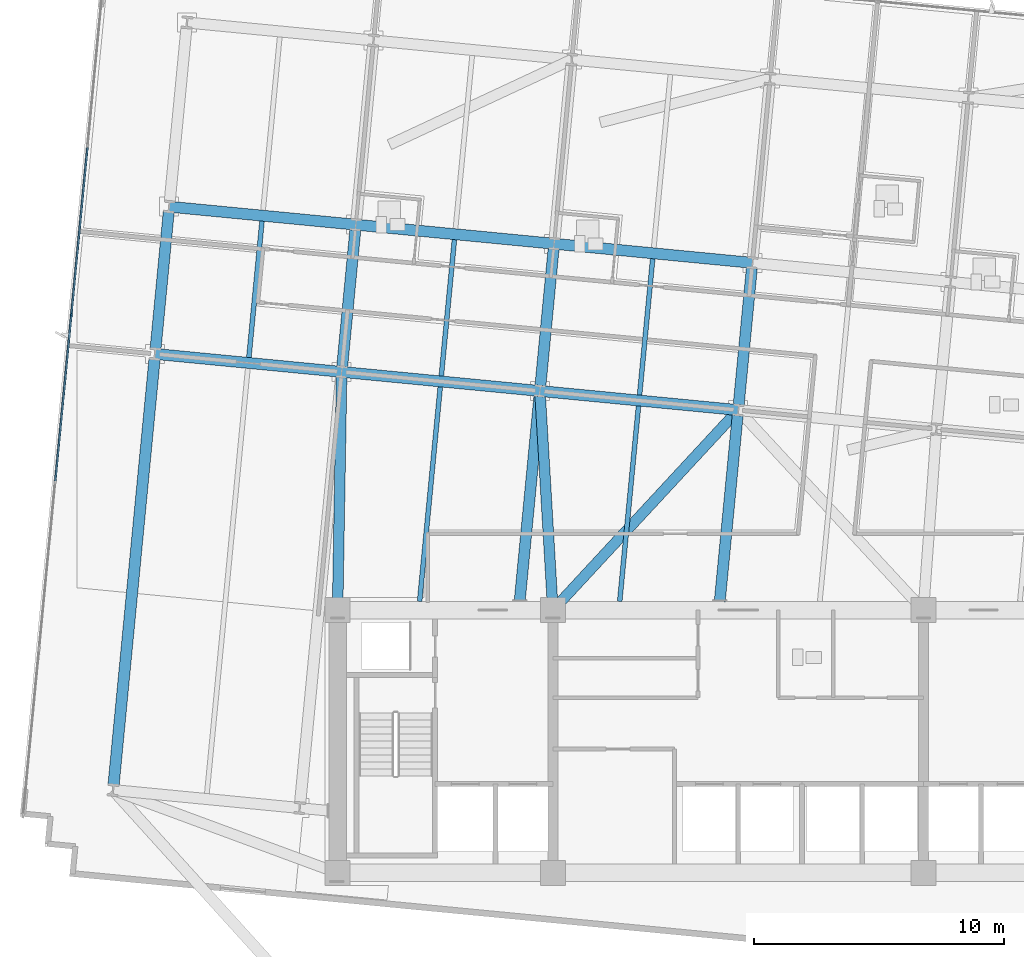
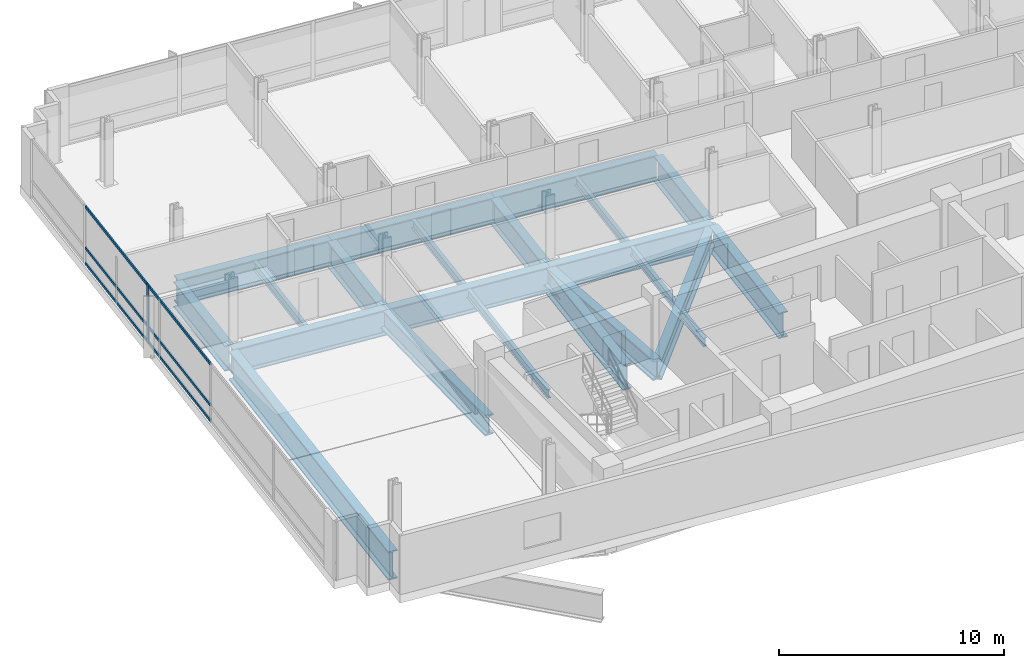
# One storey, part 4 of 18: 21 beams, 7 members, 1 element without a shape of its own.
"""IFC4 building model written with IfcOpenShell, lengths in metres."""

from ifc_helpers import new_model, si_unit, direction, frame, origin, origin_2d, place, context, subcontext, project, spatial, rectangle, i_section, extrude, material, material_profile, profile_set, type_object, element, aggregate, save


model = new_model("IFC4")

# Units and contexts
model_context = context("Model", 3, precision=1e-05, world=origin(), true_north=direction((0.0, 1.0)))
body_context = subcontext(model_context, "Body", "Model", "MODEL_VIEW")
ifc_project = project(units=[si_unit("LENGTHUNIT", "METRE"), si_unit("AREAUNIT", "SQUARE_METRE"), si_unit("VOLUMEUNIT", "CUBIC_METRE"), si_unit("PLANEANGLEUNIT", "RADIAN"), si_unit("MASSUNIT", "GRAM", prefix="KILO")], contexts=[model_context])

# Site, building, storey
site_placement = place(None, origin())
site = spatial("IfcSite", under=ifc_project, at=site_placement, CompositionType="ELEMENT")
building_placement = place(site_placement, origin())
building = spatial("IfcBuilding", under=site, at=building_placement, Name="Solmavex Isthmus Hotel", CompositionType="ELEMENT")
storey_placement = place(building_placement, frame((0.0, 0.0, 135.89990234375)))
storey = spatial("IfcBuildingStorey", under=building, at=storey_placement, Name="L36", CompositionType="ELEMENT", Elevation=135.89990234375)

# Beams
ifc_material_1 = material(Name="Steel ASTM A992 Grade 50", Category="steel")
ifc_material_profile_1 = material_profile(ifc_material_1, i_section(OverallWidth=0.1904296875, OverallDepth=0.456787109375, WebThickness=0.009033203125, FlangeThickness=0.014404296875, FilletRadius=0.0126953125, at=origin_2d()), Name="W18X50")
ifc_profile_set_1 = profile_set([ifc_material_profile_1], Name="Steel ASTM A992 Grade 50")
beam_type_1 = type_object("IfcBeamType", Name="BM-BJ-W18X50", PredefinedType="JOIST", material=ifc_profile_set_1)
beam_1_placement = place(storey_placement, frame((-19.543212890625, 7.59326171875, -0.678466796875), z_axis=(0.095860437863, 0.99539478422, 0.0), x_axis=(-0.99539478422, 0.095860437863, 0.0)))
element("IfcBeam", 1, at=beam_1_placement, inside=storey, type_object=beam_type_1, Name="Secondary Floor Joist L36-J02", PredefinedType="JOIST", context=body_context, shape_type="SweptSolid", body=[
    extrude(i_section(OverallWidth=0.1904296875, OverallDepth=0.456787109375, WebThickness=0.009033203125, FlangeThickness=0.014404296875, FilletRadius=0.0126953125, at=origin_2d()), origin(), (0.0, 0.0, 1.0), 5.468017578125),
])
beam_2_placement = place(storey_placement, frame((-12.7236328125, -2.14990234375, -0.678466796875), z_axis=(0.095842697369, 0.99539649254, 0.0), x_axis=(-0.99539649254, 0.095842697369, 0.0)))
element("IfcBeam", 2, at=beam_2_placement, inside=storey, type_object=beam_type_1, Name="Secondary Floor Joist L36-J04", PredefinedType="JOIST", context=body_context, shape_type="SweptSolid", body=[
    extrude(i_section(OverallWidth=0.1904296875, OverallDepth=0.456787109375, WebThickness=0.009033203125, FlangeThickness=0.014404296875, FilletRadius=0.0126953125, at=origin_2d()), origin(), (0.0, 0.0, 1.0), 8.604736328125),
])
beam_3_placement = place(storey_placement, frame((-11.856689453125, 6.85302734375, -0.678466796875), z_axis=(0.095860437863, 0.99539478422, 0.0), x_axis=(-0.99539478422, 0.095860437863, 0.0)))
element("IfcBeam", 3, at=beam_3_placement, inside=storey, type_object=beam_type_1, Name="Secondary Floor Joist L36-J05", PredefinedType="JOIST", context=body_context, shape_type="SweptSolid", body=[
    extrude(i_section(OverallWidth=0.1904296875, OverallDepth=0.456787109375, WebThickness=0.009033203125, FlangeThickness=0.014404296875, FilletRadius=0.0126953125, at=origin_2d()), origin(), (0.0, 0.0, 1.0), 5.468017578125),
])
beam_4_placement = place(storey_placement, frame((-4.730712890625, -2.14990234375, -0.678466796875), z_axis=(0.095836442338, 0.995397094792, 0.0), x_axis=(-0.995397094792, 0.095836442338, 0.0)))
element("IfcBeam", 4, at=beam_4_placement, inside=storey, type_object=beam_type_1, Name="Secondary Floor Joist L36-J07", PredefinedType="JOIST", context=body_context, shape_type="SweptSolid", body=[
    extrude(i_section(OverallWidth=0.1904296875, OverallDepth=0.456787109375, WebThickness=0.009033203125, FlangeThickness=0.014404296875, FilletRadius=0.0126953125, at=origin_2d()), origin(), (0.0, 0.0, 1.0), 7.838623046875),
])
beam_5_placement = place(storey_placement, frame((-3.937255859375, 6.090576171875, -0.678466796875), z_axis=(0.095816199314, 0.995399043574, 0.0), x_axis=(-0.995399043574, 0.095816199314, 0.0)))
element("IfcBeam", 5, at=beam_5_placement, inside=storey, type_object=beam_type_1, Name="Secondary Floor Joist L36-J08", PredefinedType="JOIST", context=body_context, shape_type="SweptSolid", body=[
    extrude(i_section(OverallWidth=0.1904296875, OverallDepth=0.456787109375, WebThickness=0.009033203125, FlangeThickness=0.014404296875, FilletRadius=0.0126953125, at=origin_2d()), origin(), (0.0, 0.0, 1.0), 5.468017578125),
])
ifc_material_2 = material(Name="Steel ASTM A572 Grade 50", Category="steel")
ifc_material_profile_2 = material_profile(ifc_material_2, i_section(OverallWidth=0.449951171875, OverallDepth=1.550048828125, WebThickness=0.031982421875, FlangeThickness=0.06494140625, FilletRadius=0.030517578125, at=origin_2d()), Name="I1550X450")
ifc_profile_set_2 = profile_set([ifc_material_profile_2], Name="Steel ASTM A572 Grade 50")
beam_type_2 = type_object("IfcBeamType", Name="BM-TB-G1550", PredefinedType="BEAM", material=ifc_profile_set_2)
beam_6_placement = place(storey_placement, frame((-24.947265625, -9.46728515625, -1.224853515625), z_axis=(0.095853111028, 0.995395489796, 0.0), x_axis=(-0.995395489796, 0.095853111028, 0.0)))
element("IfcBeam", 6, at=beam_6_placement, inside=storey, type_object=beam_type_2, Name="Outrigger Collector Beam L36-VG21", PredefinedType="BEAM", context=body_context, shape_type="SweptSolid", body=[
    extrude(i_section(OverallWidth=0.449951171875, OverallDepth=1.550048828125, WebThickness=0.031982421875, FlangeThickness=0.06494140625, FilletRadius=0.030517578125, at=origin_2d()), origin(), (0.0, 0.0, 1.0), 17.06005859375),
])
ifc_material_3 = material(Name="Steel ASTM A913 Grade 65", Category="steel")
ifc_material_profile_3 = material_profile(ifc_material_3, i_section(OverallWidth=0.42431640625, OverallDepth=1.09228515625, WebThickness=0.04541015625, FlangeThickness=0.08203125, FilletRadius=0.030517578125, at=origin_2d()), Name="W40X593")
ifc_profile_set_3 = profile_set([ifc_material_profile_3], Name="Steel ASTM A913 Grade 65")
beam_type_3 = type_object("IfcBeamType", Name="BM-TB-W40X397", PredefinedType="BEAM", material=ifc_profile_set_3)
beam_7_placement = place(storey_placement, frame((-7.39990234375, -2.5, -0.99609375), z_axis=(0.679544354084, 0.733634425877, 0.0), x_axis=(-0.733634425877, 0.679544354084, 0.0)))
element("IfcBeam", 7, at=beam_7_placement, inside=storey, type_object=beam_type_3, Name="Core Outrigger Strut L35-OTCW", PredefinedType="BEAM", context=body_context, shape_type="SweptSolid", body=[
    extrude(i_section(OverallWidth=0.42431640625, OverallDepth=1.09228515625, WebThickness=0.04541015625, FlangeThickness=0.08203125, FilletRadius=0.030517578125, at=origin_2d()), origin(), (0.0, 0.0, 1.0), 10.891357421875),
])
beam_8_placement = place(storey_placement, frame((-16.0, -2.5, -0.99609375), z_axis=(0.017085382598, 0.999854034198, 0.0), x_axis=(-0.999854034198, 0.017085382598, 0.0)))
element("IfcBeam", 8, at=beam_8_placement, inside=storey, type_object=beam_type_3, Name="Core Outrigger Strut L35-OTNW", PredefinedType="BEAM", context=body_context, shape_type="SweptSolid", body=[
    extrude(i_section(OverallWidth=0.42431640625, OverallDepth=1.09228515625, WebThickness=0.04541015625, FlangeThickness=0.08203125, FilletRadius=0.030517578125, at=origin_2d()), origin(), (0.0, 0.0, 1.0), 9.516845703125),
])
ifc_material_profile_4 = material_profile(ifc_material_2, i_section(OverallWidth=0.43994140625, OverallDepth=1.3798828125, WebThickness=0.030029296875, FlangeThickness=0.054931640625, FilletRadius=0.030517578125, at=origin_2d()), Name="I1380X440")
ifc_profile_set_4 = profile_set([ifc_material_profile_4], Name="Steel ASTM A572 Grade 50")
beam_type_4 = type_object("IfcBeamType", Name="BM-TG-I1380", PredefinedType="BEAM", material=ifc_profile_set_4)
beam_9_placement = place(storey_placement, frame((-23.291015625, 7.733154296875, -1.139892578125), z_axis=(0.995395279593, -0.095855293875, 0.0), x_axis=(0.095855293875, 0.995395279593, 0.0)))
element("IfcBeam", 9, at=beam_9_placement, inside=storey, type_object=beam_type_4, Name="Outrigger Collector Girder L36-UG03", PredefinedType="BEAM", context=body_context, shape_type="SweptSolid", body=[
    extrude(i_section(OverallWidth=0.43994140625, OverallDepth=1.3798828125, WebThickness=0.030029296875, FlangeThickness=0.054931640625, FilletRadius=0.030517578125, at=origin_2d()), origin(), (0.0, 0.0, 1.0), 7.488037109375),
])
beam_10_placement = place(storey_placement, frame((-15.83740234375, 7.015380859375, -1.139892578125), z_axis=(0.995397158178, -0.095835783981, 0.0), x_axis=(0.095835783981, 0.995397158178, 0.0)))
element("IfcBeam", 10, at=beam_10_placement, inside=storey, type_object=beam_type_4, Name="Outrigger Collector Girder L36-UG04", PredefinedType="BEAM", context=body_context, shape_type="SweptSolid", body=[
    extrude(i_section(OverallWidth=0.43994140625, OverallDepth=1.3798828125, WebThickness=0.030029296875, FlangeThickness=0.054931640625, FilletRadius=0.030517578125, at=origin_2d()), origin(), (0.0, 0.0, 1.0), 7.955810546875),
])
beam_11_placement = place(storey_placement, frame((-7.918212890625, 6.2529296875, -1.139892578125), z_axis=(0.995394512348, -0.095863260885, 0.0), x_axis=(0.095863260885, 0.995394512348, 0.0)))
element("IfcBeam", 11, at=beam_11_placement, inside=storey, type_object=beam_type_4, Name="Outrigger Collector Girder L36-UG05", PredefinedType="BEAM", context=body_context, shape_type="SweptSolid", body=[
    extrude(i_section(OverallWidth=0.43994140625, OverallDepth=1.3798828125, WebThickness=0.030029296875, FlangeThickness=0.054931640625, FilletRadius=0.030517578125, at=origin_2d()), origin(), (0.0, 0.0, 1.0), 7.9560546875),
])
beam_12_placement = place(storey_placement, frame((-22.724853515625, 13.614013671875, -1.139892578125), z_axis=(0.995395279593, -0.095855293875, 0.0), x_axis=(0.095855293875, 0.995395279593, 0.0)))
element("IfcBeam", 12, at=beam_12_placement, inside=storey, type_object=beam_type_4, Name="Outrigger Collector Girder L36-UG09", PredefinedType="BEAM", context=body_context, shape_type="SweptSolid", body=[
    extrude(i_section(OverallWidth=0.43994140625, OverallDepth=1.3798828125, WebThickness=0.030029296875, FlangeThickness=0.054931640625, FilletRadius=0.030517578125, at=origin_2d()), origin(), (0.0, 0.0, 1.0), 7.488037109375),
])
for number, where, z_axis, x_axis, name in (
    (13, (-15.271240234375, 12.896240234375, -1.139892578125), (0.995397440011, -0.095832856685, 0.0), (0.095832856685, 0.995397440011, 0.0), "Outrigger Collector Girder L36-UG10"),
    (14, (-7.351806640625, 12.1337890625, -1.139892578125), (0.995394512348, -0.095863260885, 0.0), (0.095863260885, 0.995394512348, 0.0), "Outrigger Collector Girder L36-UG11"),
):
    element("IfcBeam", number, at=place(storey_placement, frame(where, z_axis=z_axis, x_axis=x_axis)), inside=storey, type_object=beam_type_4, Name=name, PredefinedType="BEAM", context=body_context, shape_type="SweptSolid", body=[
        extrude(i_section(OverallWidth=0.43994140625, OverallDepth=1.3798828125, WebThickness=0.030029296875, FlangeThickness=0.054931640625, FilletRadius=0.030517578125, at=origin_2d()), origin(), (0.0, 0.0, 1.0), 7.9560546875),
    ])
for number, where, z_axis, x_axis, name in (
    (15, (-23.27001953125, 7.9521484375, -1.139892578125), (0.095860437863, 0.99539478422, 0.0), (-0.99539478422, 0.095860437863, 0.0), "Outrigger Collector Beam L36-VG22"),
    (16, (-15.81640625, 7.234375, -1.139892578125), (0.095860437863, 0.99539478422, 0.0), (-0.99539478422, 0.095860437863, 0.0), "Outrigger Collector Beam L36-VG25"),
):
    element("IfcBeam", number, at=place(storey_placement, frame(where, z_axis=z_axis, x_axis=x_axis)), inside=storey, type_object=beam_type_4, Name=name, PredefinedType="BEAM", context=body_context, shape_type="SweptSolid", body=[
        extrude(i_section(OverallWidth=0.43994140625, OverallDepth=1.3798828125, WebThickness=0.030029296875, FlangeThickness=0.054931640625, FilletRadius=0.030517578125, at=origin_2d()), origin(), (0.0, 0.0, 1.0), 5.468017578125),
    ])
beam_13_placement = place(storey_placement, frame((-8.727294921875, -2.14990234375, -1.139892578125), z_axis=(0.095854426543, 0.995395363116, 0.0), x_axis=(-0.995395363116, 0.095854426543, 0.0)))
element("IfcBeam", 17, at=beam_13_placement, inside=storey, type_object=beam_type_4, Name="Outrigger Collector Beam L36-VG27", PredefinedType="BEAM", context=body_context, shape_type="SweptSolid", body=[
    extrude(i_section(OverallWidth=0.43994140625, OverallDepth=1.3798828125, WebThickness=0.030029296875, FlangeThickness=0.054931640625, FilletRadius=0.030517578125, at=origin_2d()), origin(), (0.0, 0.0, 1.0), 8.2216796875),
])
beam_14_placement = place(storey_placement, frame((-7.89697265625, 6.471923828125, -1.139892578125), z_axis=(0.095816199314, 0.995399043574, 0.0), x_axis=(-0.995399043574, 0.095816199314, 0.0)))
element("IfcBeam", 18, at=beam_14_placement, inside=storey, type_object=beam_type_4, Name="Outrigger Collector Beam L36-VG28", PredefinedType="BEAM", context=body_context, shape_type="SweptSolid", body=[
    extrude(i_section(OverallWidth=0.43994140625, OverallDepth=1.3798828125, WebThickness=0.030029296875, FlangeThickness=0.054931640625, FilletRadius=0.030517578125, at=origin_2d()), origin(), (0.0, 0.0, 1.0), 5.468017578125),
])
beam_15_placement = place(storey_placement, frame((-0.734375, -2.14990234375, -1.139892578125), z_axis=(0.095849055554, 0.995395880316, 0.0), x_axis=(-0.995395880316, 0.095849055554, 0.0)))
element("IfcBeam", 19, at=beam_15_placement, inside=storey, type_object=beam_type_4, Name="Outrigger Collector Beam L36-VG30", PredefinedType="BEAM", context=body_context, shape_type="SweptSolid", body=[
    extrude(i_section(OverallWidth=0.43994140625, OverallDepth=1.3798828125, WebThickness=0.030029296875, FlangeThickness=0.054931640625, FilletRadius=0.030517578125, at=origin_2d()), origin(), (0.0, 0.0, 1.0), 7.45556640625),
])
beam_16_placement = place(storey_placement, frame((0.0224609375, 5.709228515625, -1.139892578125), z_axis=(0.095816199314, 0.995399043574, 0.0), x_axis=(-0.995399043574, 0.095816199314, 0.0)))
element("IfcBeam", 20, at=beam_16_placement, inside=storey, type_object=beam_type_4, Name="Outrigger Collector Beam L36-VG31", PredefinedType="BEAM", context=body_context, shape_type="SweptSolid", body=[
    extrude(i_section(OverallWidth=0.43994140625, OverallDepth=1.3798828125, WebThickness=0.030029296875, FlangeThickness=0.054931640625, FilletRadius=0.030517578125, at=origin_2d()), origin(), (0.0, 0.0, 1.0), 5.468017578125),
])
ifc_material_profile_5 = material_profile(ifc_material_3, i_section(OverallWidth=0.42431640625, OverallDepth=1.09228515625, WebThickness=0.04541015625, FlangeThickness=0.08203125, FilletRadius=0.030517578125, at=origin_2d()), Name="W40X593")
ifc_profile_set_5 = profile_set([ifc_material_profile_5], Name="Steel ASTM A913 Grade 65")
beam_type_5 = type_object("IfcBeamType", Name="BM-TG-W40X593", PredefinedType="BEAM", material=ifc_profile_set_5)
beam_17_placement = place(storey_placement, frame((-7.39990234375, -2.5, -0.99609375), z_axis=(-0.059112116922, 0.998251349928, 0.0), x_axis=(-0.998251349928, -0.059112116922, 0.0)))
element("IfcBeam", 21, at=beam_17_placement, inside=storey, type_object=beam_type_5, Name="Core Outrigger Strut L35-OTW", PredefinedType="BEAM", context=body_context, shape_type="SweptSolid", body=[
    extrude(i_section(OverallWidth=0.42431640625, OverallDepth=1.09228515625, WebThickness=0.04541015625, FlangeThickness=0.08203125, FilletRadius=0.030517578125, at=origin_2d()), origin(), (0.0, 0.0, 1.0), 8.768310546875),
])

# Curtain wall, members
ifc_material_4 = material(Name="Aluminium alloy 6063-T6", Category="aluminium")
curtain_wall_type = type_object("IfcCurtainWallType", Name="CW-SYS-03", PredefinedType="NOTDEFINED", material=ifc_material_4)
curtain_wall_placement = place(storey_placement, origin())
curtain_wall = element("IfcCurtainWall", 22, at=curtain_wall_placement, inside=storey, type_object=curtain_wall_type, Name="Stick Curtain Wall CWL-L36-W1", PredefinedType="NOTDEFINED")
ifc_material_profile_6 = material_profile(ifc_material_4, rectangle(XDim=0.070068359375, YDim=0.179931640625, at=origin_2d()), Name="CWM-70X180")
ifc_profile_set_6 = profile_set([ifc_material_profile_6], Name="Aluminium alloy 6063-T6")
member_type_1 = type_object("IfcMemberType", Name="CW-SYS-03-MUL", PredefinedType="MULLION", material=ifc_profile_set_6)
member_1_placement = place(storey_placement, frame((-26.63427734375, 9.32080078125, 0.0), z_axis=(0.0, 0.0, 1.0), x_axis=(-0.995396190038, 0.09584583902, 0.0)))
member_1 = element("IfcMember", 23, at=member_1_placement, type_object=member_type_1, Name="CW-03 mullion 4", PredefinedType="MULLION", context=body_context, shape_type="SweptSolid", body=[
    extrude(rectangle(XDim=0.070068359375, YDim=0.179931640625, at=origin_2d()), origin(), (0.0, 0.0, 1.0), 3.190185546875),
])
ifc_material_profile_7 = material_profile(ifc_material_4, rectangle(XDim=0.070068359375, YDim=0.139892578125, at=origin_2d()), Name="CWT-70X140")
ifc_profile_set_7 = profile_set([ifc_material_profile_7], Name="Aluminium alloy 6063-T6")
member_type_2 = type_object("IfcMemberType", Name="CW-SYS-03-TRN", PredefinedType="USERDEFINED", material=ifc_profile_set_7)
member_2_placement = place(storey_placement, frame((-27.27490234375, 2.666748046875, 0.070068359375), z_axis=(0.095857212138, 0.995395094865, 0.0), x_axis=(-0.995395094865, 0.095857212138, 0.0)))
member_2 = element("IfcMember", 24, at=member_2_placement, type_object=member_type_2, Name="CW-03 transom 3.1", ObjectType="TRANSOM", PredefinedType="USERDEFINED", context=body_context, shape_type="SweptSolid", body=[
    extrude(rectangle(XDim=0.070068359375, YDim=0.139892578125, at=origin_2d()), origin(), (0.0, 0.0, 1.0), 6.64990234375),
])
member_3_placement = place(storey_placement, frame((-27.27490234375, 2.666748046875, 0.900146484375), z_axis=(0.095857212138, 0.995395094865, 0.0), x_axis=(-0.995395094865, 0.095857212138, 0.0)))
member_3 = element("IfcMember", 25, at=member_3_placement, type_object=member_type_2, Name="CW-03 transom 3.2", ObjectType="TRANSOM", PredefinedType="USERDEFINED", context=body_context, shape_type="SweptSolid", body=[
    extrude(rectangle(XDim=0.070068359375, YDim=0.139892578125, at=origin_2d()), origin(), (0.0, 0.0, 1.0), 6.64990234375),
])
member_4_placement = place(storey_placement, frame((-27.27490234375, 2.666748046875, 3.1201171875), z_axis=(0.095857212138, 0.995395094865, 0.0), x_axis=(-0.995395094865, 0.095857212138, 0.0)))
member_4 = element("IfcMember", 26, at=member_4_placement, type_object=member_type_2, Name="CW-03 transom 3.3", ObjectType="TRANSOM", PredefinedType="USERDEFINED", context=body_context, shape_type="SweptSolid", body=[
    extrude(rectangle(XDim=0.070068359375, YDim=0.139892578125, at=origin_2d()), origin(), (0.0, 0.0, 1.0), 6.64990234375),
])
member_5_placement = place(storey_placement, frame((-26.630859375, 9.355712890625, 0.070068359375), z_axis=(0.095857212138, 0.995395094865, 0.0), x_axis=(-0.995395094865, 0.095857212138, 0.0)))
member_5 = element("IfcMember", 27, at=member_5_placement, type_object=member_type_2, Name="CW-03 transom 4.1", ObjectType="TRANSOM", PredefinedType="USERDEFINED", context=body_context, shape_type="SweptSolid", body=[
    extrude(rectangle(XDim=0.070068359375, YDim=0.139892578125, at=origin_2d()), origin(), (0.0, 0.0, 1.0), 6.64990234375),
])
member_6_placement = place(storey_placement, frame((-26.630859375, 9.355712890625, 0.900146484375), z_axis=(0.095857212138, 0.995395094865, 0.0), x_axis=(-0.995395094865, 0.095857212138, 0.0)))
member_6 = element("IfcMember", 28, at=member_6_placement, type_object=member_type_2, Name="CW-03 transom 4.2", ObjectType="TRANSOM", PredefinedType="USERDEFINED", context=body_context, shape_type="SweptSolid", body=[
    extrude(rectangle(XDim=0.070068359375, YDim=0.139892578125, at=origin_2d()), origin(), (0.0, 0.0, 1.0), 6.64990234375),
])
member_7_placement = place(storey_placement, frame((-26.630859375, 9.355712890625, 3.1201171875), z_axis=(0.095857212138, 0.995395094865, 0.0), x_axis=(-0.995395094865, 0.095857212138, 0.0)))
member_7 = element("IfcMember", 29, at=member_7_placement, type_object=member_type_2, Name="CW-03 transom 4.3", ObjectType="TRANSOM", PredefinedType="USERDEFINED", context=body_context, shape_type="SweptSolid", body=[
    extrude(rectangle(XDim=0.070068359375, YDim=0.139892578125, at=origin_2d()), origin(), (0.0, 0.0, 1.0), 6.64990234375),
])
aggregate(curtain_wall, [member_1, member_2, member_3, member_4, member_5, member_6, member_7])

save(model, "model.ifc")
